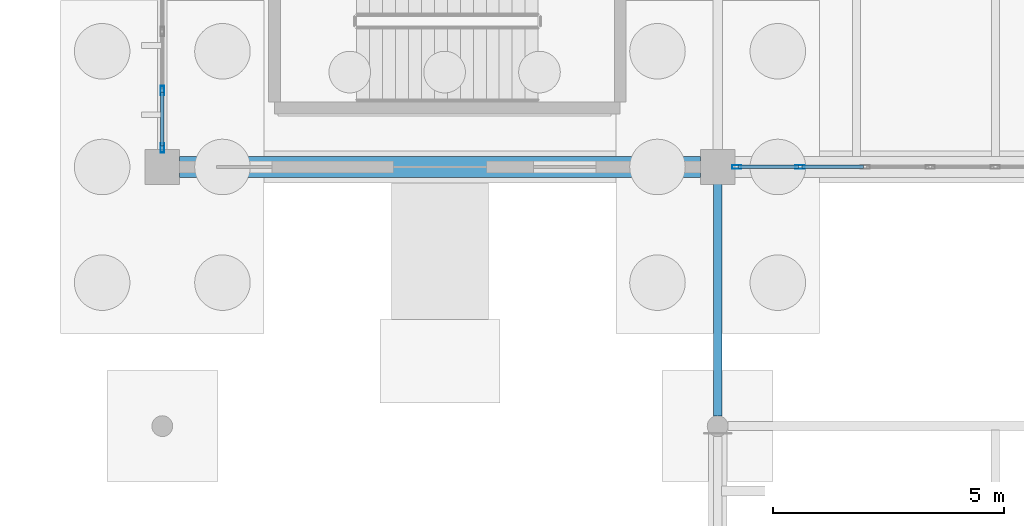
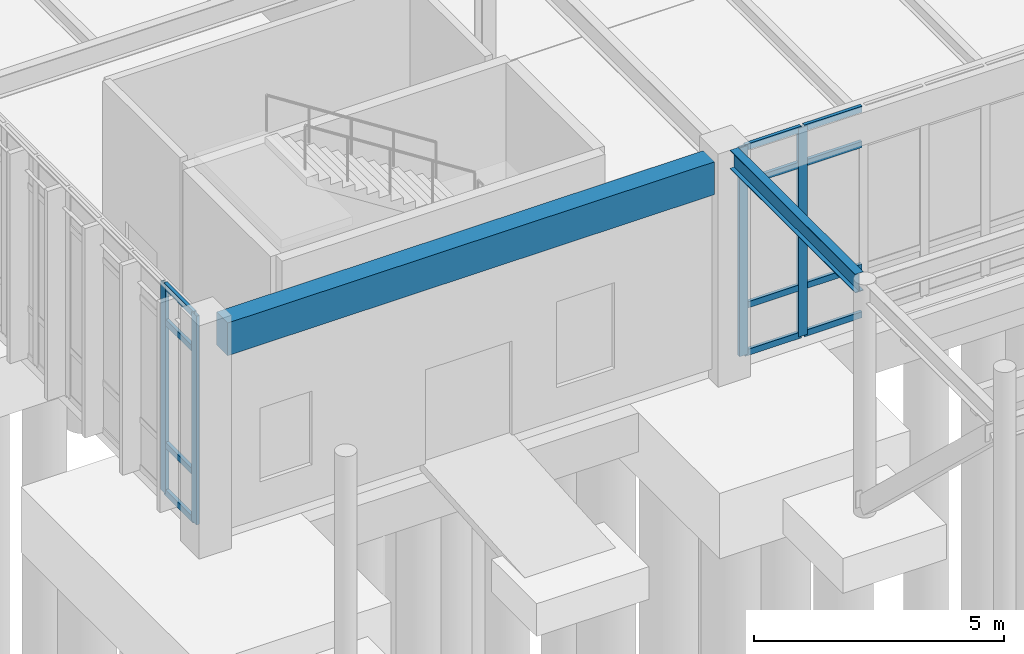
# One storey, part 36 of 188: 16 members, 2 beams, 2 elements without a shape of their own.
"""IFC4 building model written with IfcOpenShell, lengths in metres."""

from ifc_helpers import new_model, si_unit, direction, frame, origin, origin_2d, place, context, subcontext, project, spatial, rectangle, hollow_rectangle, i_section, extrude, material, layer, layer_set, material_profile, profile_set, type_object, element, aggregate, save


model = new_model("IFC4")

# Units and contexts
model_context = context("Model", 3, precision=1e-05, world=origin(), true_north=direction((0.0, 1.0)))
body_context = subcontext(model_context, "Body", "Model", "MODEL_VIEW")
ifc_project = project(units=[si_unit("LENGTHUNIT", "METRE"), si_unit("AREAUNIT", "SQUARE_METRE"), si_unit("VOLUMEUNIT", "CUBIC_METRE"), si_unit("PLANEANGLEUNIT", "RADIAN"), si_unit("MASSUNIT", "GRAM", prefix="KILO")], contexts=[model_context])

# Site, building, storey
site_placement = place(None, origin())
site = spatial("IfcSite", under=ifc_project, at=site_placement, CompositionType="ELEMENT")
building_placement = place(site_placement, origin())
building = spatial("IfcBuilding", under=site, at=building_placement, Name="Pandanus Reach Market Hall", CompositionType="ELEMENT")
storey_placement = place(building_placement, origin())
storey = spatial("IfcBuildingStorey", under=building, at=storey_placement, Name="L00", CompositionType="ELEMENT", Elevation=0.0)

# Beams
ifc_material_1 = material(Name="Concrete N40 (40 MPa)", Category="concrete")
ifc_material_profile_1 = material_profile(ifc_material_1, rectangle(XDim=0.449951171875, YDim=0.800048828125, at=origin_2d()), Name="RC450x800", Category="LoadBearing")
ifc_profile_set_1 = profile_set([ifc_material_profile_1], Name="Concrete N40 (40 MPa)")
beam_type_1 = type_object("IfcBeamType", Name="BM-RC450-E", PredefinedType="SPANDREL", material=ifc_profile_set_1)
beam_1_placement = place(storey_placement, frame((48.373046875, 28.800048828125, 4.719970703125), z_axis=(1.0, 0.0, 0.0), x_axis=(0.0, 1.0, 0.0)))
element("IfcBeam", 1, at=beam_1_placement, inside=storey, type_object=beam_type_1, Name="Framing beam BM-RC450-E L00.1038", PredefinedType="SPANDREL", context=body_context, shape_type="SweptSolid", body=[
    extrude(rectangle(XDim=0.449951171875, YDim=0.800048828125, at=origin_2d()), origin(), (0.0, 0.0, 1.0), 11.25390625),
])
ifc_material_2 = material(Name="Steel Grade 350 (350 MPa)", Category="steel")
ifc_material_profile_2 = material_profile(ifc_material_2, i_section(OverallWidth=0.18994140625, OverallDepth=0.45703125, WebThickness=0.009033203125, FlangeThickness=0.014404296875, at=origin_2d()), Name="460UB74.6", Category="LoadBearing")
ifc_profile_set_2 = profile_set([ifc_material_profile_2], Name="Steel Grade 350 (350 MPa)")
beam_type_2 = type_object("IfcBeamType", Name="BM-UB460-E", PredefinedType="BEAM", material=ifc_profile_set_2)
beam_2_placement = place(storey_placement, frame((60.0, 23.419921875, 5.169921875), z_axis=(0.0, 1.0, 0.0), x_axis=(-1.0, 0.0, 0.0)))
element("IfcBeam", 2, at=beam_2_placement, inside=storey, type_object=beam_type_2, Name="Forecourt canopy tie beam C1B", PredefinedType="BEAM", context=body_context, shape_type="SweptSolid", body=[
    extrude(i_section(OverallWidth=0.18994140625, OverallDepth=0.45703125, WebThickness=0.009033203125, FlangeThickness=0.014404296875, at=origin_2d()), origin(), (0.0, 0.0, 1.0), 5.010009765625),
])

# Curtain wall, members
ifc_material_3 = material(Name="Bronze anodised aluminium and low-E glass", Category="aluminium")
ifc_layer_1 = layer(ifc_material_3, 0.199951171875, Name="CW-01")
ifc_layer_set_1 = layer_set([ifc_layer_1], Name="Bronze anodised aluminium and low-E glass")
curtain_wall_type_1 = type_object("IfcCurtainWallType", Name="CW-01", PredefinedType="NOTDEFINED", material=ifc_layer_set_1)
curtain_wall_1_placement = place(storey_placement, origin())
curtain_wall_1 = element("IfcCurtainWall", 3, at=curtain_wall_1_placement, inside=storey, type_object=curtain_wall_type_1, Name="Glazed curtain wall CW-01 CW-0001", PredefinedType="NOTDEFINED")
ifc_material_4 = material(Name="Bronze anodised aluminium", Category="aluminium")
ifc_material_profile_3 = material_profile(ifc_material_4, hollow_rectangle(XDim=0.074951171875, YDim=0.199951171875, WallThickness=0.00439453125, at=origin_2d()), Name="ALU75x200", Category="LoadBearing")
ifc_profile_set_3 = profile_set([ifc_material_profile_3], Name="Bronze anodised aluminium")
member_type_1 = type_object("IfcMemberType", Name="CW-M2", PredefinedType="MULLION", material=ifc_profile_set_3)
member_1_placement = place(storey_placement, frame((60.41259765625, 28.800048828125, 0.0), z_axis=(0.0, 0.0, 1.0), x_axis=(0.0, 1.0, 0.0)))
member_1 = element("IfcMember", 4, at=member_1_placement, type_object=member_type_1, Name="CW-01 mullion 1", PredefinedType="MULLION", context=body_context, shape_type="SweptSolid", body=[
    extrude(hollow_rectangle(XDim=0.074951171875, YDim=0.199951171875, WallThickness=0.00439453125, at=origin_2d()), origin(), (0.0, 0.0, 1.0), 5.10009765625),
])
member_2_placement = place(storey_placement, frame((61.78125, 28.800048828125, 0.0), z_axis=(0.0, 0.0, 1.0), x_axis=(0.0, 1.0, 0.0)))
member_2 = element("IfcMember", 5, at=member_2_placement, type_object=member_type_1, Name="CW-01 mullion 2", PredefinedType="MULLION", context=body_context, shape_type="SweptSolid", body=[
    extrude(hollow_rectangle(XDim=0.074951171875, YDim=0.199951171875, WallThickness=0.00439453125, at=origin_2d()), origin(), (0.0, 0.0, 1.0), 5.10009765625),
])

ifc_layer_2 = layer(ifc_material_3, 0.199951171875, Name="CW-03")
ifc_layer_set_2 = layer_set([ifc_layer_2], Name="Bronze anodised aluminium and low-E glass")
curtain_wall_type_2 = type_object("IfcCurtainWallType", Name="CW-03", PredefinedType="NOTDEFINED", material=ifc_layer_set_2)
curtain_wall_2_placement = place(storey_placement, origin())
curtain_wall_2 = element("IfcCurtainWall", 6, at=curtain_wall_2_placement, inside=storey, type_object=curtain_wall_type_2, Name="Glazed curtain wall CW-03 CW-0018", PredefinedType="NOTDEFINED")
member_3_placement = place(storey_placement, frame((48.0, 29.21240234375, 0.0), z_axis=(0.0, 0.0, 1.0), x_axis=(-1.0, 0.0, 0.0)))
member_3 = element("IfcMember", 7, at=member_3_placement, type_object=member_type_1, Name="CW-03 mullion 1", PredefinedType="MULLION", context=body_context, shape_type="SweptSolid", body=[
    extrude(hollow_rectangle(XDim=0.074951171875, YDim=0.199951171875, WallThickness=0.00439453125, at=origin_2d()), origin(), (0.0, 0.0, 1.0), 5.10009765625),
])
member_4_placement = place(storey_placement, frame((48.0, 30.449951171875, 0.0), z_axis=(0.0, 0.0, 1.0), x_axis=(-1.0, 0.0, 0.0)))
member_4 = element("IfcMember", 8, at=member_4_placement, type_object=member_type_1, Name="CW-03 mullion 2", PredefinedType="MULLION", context=body_context, shape_type="SweptSolid", body=[
    extrude(hollow_rectangle(XDim=0.074951171875, YDim=0.199951171875, WallThickness=0.00439453125, at=origin_2d()), origin(), (0.0, 0.0, 1.0), 5.10009765625),
])

# Member
ifc_material_profile_4 = material_profile(ifc_material_4, hollow_rectangle(XDim=0.074951171875, YDim=0.14990234375, WallThickness=0.00439453125, at=origin_2d()), Name="ALU75x150", Category="LoadBearing")
ifc_profile_set_4 = profile_set([ifc_material_profile_4], Name="Bronze anodised aluminium")
member_type_2 = type_object("IfcMemberType", Name="CW-T2", PredefinedType="USERDEFINED", material=ifc_profile_set_4)
member_5_placement = place(storey_placement, frame((60.449951171875, 28.800048828125, 0.03759765625), z_axis=(1.0, 0.0, 0.0), x_axis=(0.0, 1.0, 0.0)))
member_5 = element("IfcMember", 9, at=member_5_placement, type_object=member_type_2, Name="CW-01 transom 1.1", ObjectType="TRANSOM", PredefinedType="USERDEFINED", context=body_context, shape_type="SweptSolid", body=[
    extrude(hollow_rectangle(XDim=0.074951171875, YDim=0.14990234375, WallThickness=0.00439453125, at=origin_2d()), origin(), (0.0, 0.0, 1.0), 1.293701171875),
])

member_6_placement = place(storey_placement, frame((60.449951171875, 28.800048828125, 1.199951171875), z_axis=(1.0, 0.0, 0.0), x_axis=(0.0, 1.0, 0.0)))
member_6 = element("IfcMember", 10, at=member_6_placement, type_object=member_type_2, Name="CW-01 transom 1.2", ObjectType="TRANSOM", PredefinedType="USERDEFINED", context=body_context, shape_type="SweptSolid", body=[
    extrude(hollow_rectangle(XDim=0.074951171875, YDim=0.14990234375, WallThickness=0.00439453125, at=origin_2d()), origin(), (0.0, 0.0, 1.0), 1.293701171875),
])

member_7_placement = place(storey_placement, frame((60.449951171875, 28.800048828125, 4.199951171875), z_axis=(1.0, 0.0, 0.0), x_axis=(0.0, 1.0, 0.0)))
member_7 = element("IfcMember", 11, at=member_7_placement, type_object=member_type_2, Name="CW-01 transom 1.3", ObjectType="TRANSOM", PredefinedType="USERDEFINED", context=body_context, shape_type="SweptSolid", body=[
    extrude(hollow_rectangle(XDim=0.074951171875, YDim=0.14990234375, WallThickness=0.00439453125, at=origin_2d()), origin(), (0.0, 0.0, 1.0), 1.293701171875),
])

member_8_placement = place(storey_placement, frame((60.449951171875, 28.800048828125, 5.0625), z_axis=(1.0, 0.0, 0.0), x_axis=(0.0, 1.0, 0.0)))
member_8 = element("IfcMember", 12, at=member_8_placement, type_object=member_type_2, Name="CW-01 transom 1.4", ObjectType="TRANSOM", PredefinedType="USERDEFINED", context=body_context, shape_type="SweptSolid", body=[
    extrude(hollow_rectangle(XDim=0.074951171875, YDim=0.14990234375, WallThickness=0.00439453125, at=origin_2d()), origin(), (0.0, 0.0, 1.0), 1.293701171875),
])

member_9_placement = place(storey_placement, frame((61.81884765625, 28.800048828125, 0.03759765625), z_axis=(1.0, 0.0, 0.0), x_axis=(0.0, 1.0, 0.0)))
member_9 = element("IfcMember", 13, at=member_9_placement, type_object=member_type_2, Name="CW-01 transom 2.1", ObjectType="TRANSOM", PredefinedType="USERDEFINED", context=body_context, shape_type="SweptSolid", body=[
    extrude(hollow_rectangle(XDim=0.074951171875, YDim=0.14990234375, WallThickness=0.00439453125, at=origin_2d()), origin(), (0.0, 0.0, 1.0), 1.3310546875),
])

member_10_placement = place(storey_placement, frame((61.81884765625, 28.800048828125, 1.199951171875), z_axis=(1.0, 0.0, 0.0), x_axis=(0.0, 1.0, 0.0)))
member_10 = element("IfcMember", 14, at=member_10_placement, type_object=member_type_2, Name="CW-01 transom 2.2", ObjectType="TRANSOM", PredefinedType="USERDEFINED", context=body_context, shape_type="SweptSolid", body=[
    extrude(hollow_rectangle(XDim=0.074951171875, YDim=0.14990234375, WallThickness=0.00439453125, at=origin_2d()), origin(), (0.0, 0.0, 1.0), 1.3310546875),
])

member_11_placement = place(storey_placement, frame((61.81884765625, 28.800048828125, 4.199951171875), z_axis=(1.0, 0.0, 0.0), x_axis=(0.0, 1.0, 0.0)))
member_11 = element("IfcMember", 15, at=member_11_placement, type_object=member_type_2, Name="CW-01 transom 2.3", ObjectType="TRANSOM", PredefinedType="USERDEFINED", context=body_context, shape_type="SweptSolid", body=[
    extrude(hollow_rectangle(XDim=0.074951171875, YDim=0.14990234375, WallThickness=0.00439453125, at=origin_2d()), origin(), (0.0, 0.0, 1.0), 1.3310546875),
])

member_12_placement = place(storey_placement, frame((61.81884765625, 28.800048828125, 5.0625), z_axis=(1.0, 0.0, 0.0), x_axis=(0.0, 1.0, 0.0)))
member_12 = element("IfcMember", 16, at=member_12_placement, type_object=member_type_2, Name="CW-01 transom 2.4", ObjectType="TRANSOM", PredefinedType="USERDEFINED", context=body_context, shape_type="SweptSolid", body=[
    extrude(hollow_rectangle(XDim=0.074951171875, YDim=0.14990234375, WallThickness=0.00439453125, at=origin_2d()), origin(), (0.0, 0.0, 1.0), 1.3310546875),
])

aggregate(curtain_wall_1, [member_1, member_2, member_5, member_6, member_7, member_8, member_9, member_10, member_11, member_12])

member_13_placement = place(storey_placement, frame((48.0, 29.25, 0.03759765625), z_axis=(0.0, 1.0, 0.0), x_axis=(-1.0, 0.0, 0.0)))
member_13 = element("IfcMember", 17, at=member_13_placement, type_object=member_type_2, Name="CW-03 transom 1.1", ObjectType="TRANSOM", PredefinedType="USERDEFINED", context=body_context, shape_type="SweptSolid", body=[
    extrude(hollow_rectangle(XDim=0.074951171875, YDim=0.14990234375, WallThickness=0.00439453125, at=origin_2d()), origin(), (0.0, 0.0, 1.0), 1.16259765625),
])

member_14_placement = place(storey_placement, frame((48.0, 29.25, 1.199951171875), z_axis=(0.0, 1.0, 0.0), x_axis=(-1.0, 0.0, 0.0)))
member_14 = element("IfcMember", 18, at=member_14_placement, type_object=member_type_2, Name="CW-03 transom 1.2", ObjectType="TRANSOM", PredefinedType="USERDEFINED", context=body_context, shape_type="SweptSolid", body=[
    extrude(hollow_rectangle(XDim=0.074951171875, YDim=0.14990234375, WallThickness=0.00439453125, at=origin_2d()), origin(), (0.0, 0.0, 1.0), 1.16259765625),
])

member_15_placement = place(storey_placement, frame((48.0, 29.25, 4.199951171875), z_axis=(0.0, 1.0, 0.0), x_axis=(-1.0, 0.0, 0.0)))
member_15 = element("IfcMember", 19, at=member_15_placement, type_object=member_type_2, Name="CW-03 transom 1.3", ObjectType="TRANSOM", PredefinedType="USERDEFINED", context=body_context, shape_type="SweptSolid", body=[
    extrude(hollow_rectangle(XDim=0.074951171875, YDim=0.14990234375, WallThickness=0.00439453125, at=origin_2d()), origin(), (0.0, 0.0, 1.0), 1.16259765625),
])

member_16_placement = place(storey_placement, frame((48.0, 29.25, 5.0625), z_axis=(0.0, 1.0, 0.0), x_axis=(-1.0, 0.0, 0.0)))
member_16 = element("IfcMember", 20, at=member_16_placement, type_object=member_type_2, Name="CW-03 transom 1.4", ObjectType="TRANSOM", PredefinedType="USERDEFINED", context=body_context, shape_type="SweptSolid", body=[
    extrude(hollow_rectangle(XDim=0.074951171875, YDim=0.14990234375, WallThickness=0.00439453125, at=origin_2d()), origin(), (0.0, 0.0, 1.0), 1.16259765625),
])

aggregate(curtain_wall_2, [member_3, member_4, member_13, member_14, member_15, member_16])

save(model, "model.ifc")
